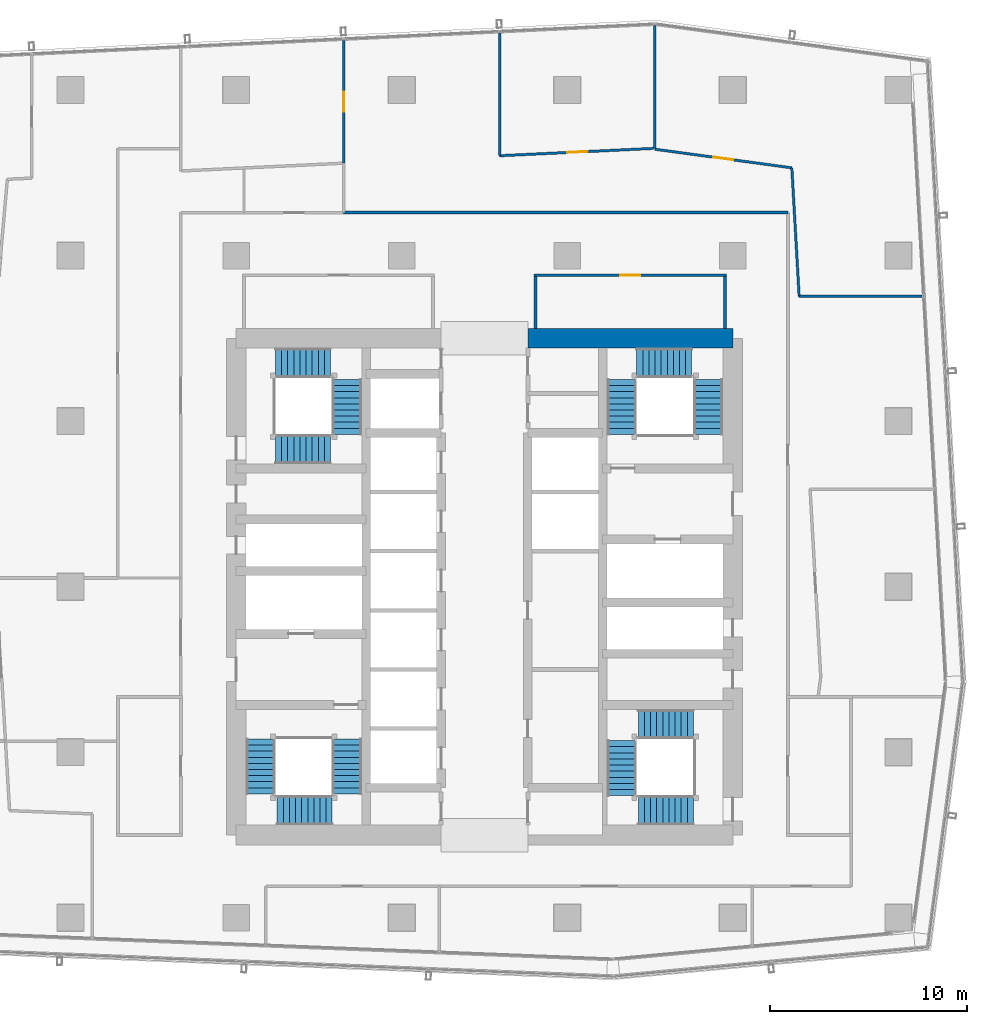
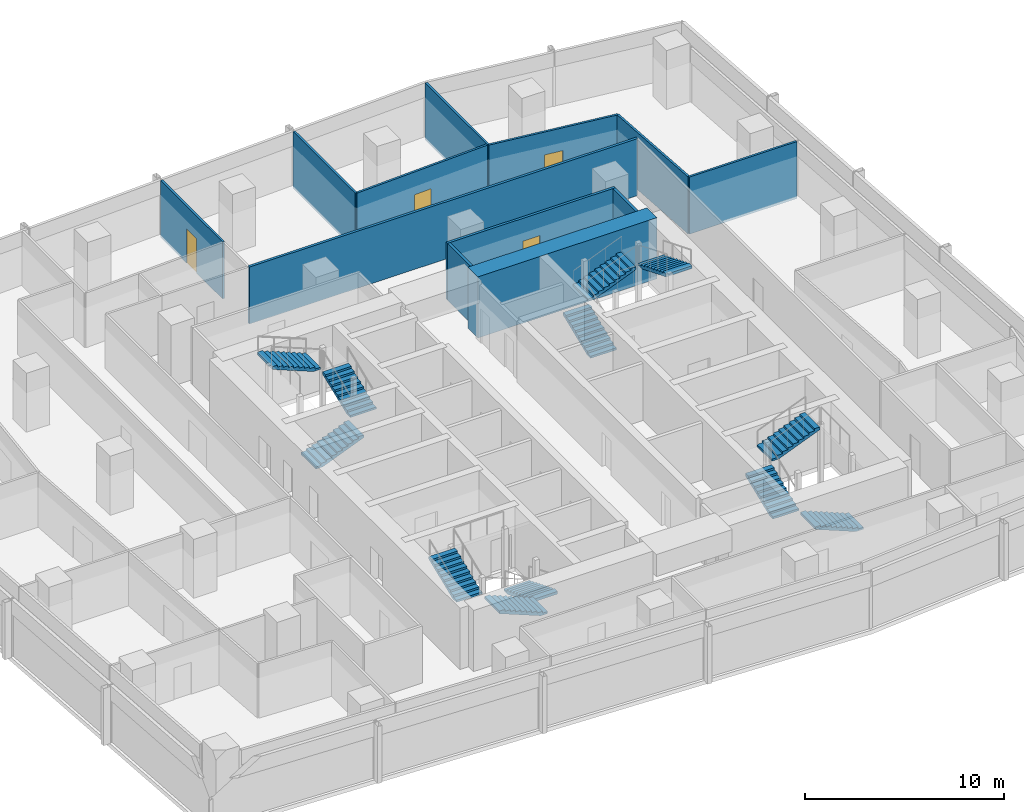
# One storey, part 30 of 39: 12 stair flights, 12 walls, 4 doors, 4 openings, 4 elements without a shape of their own.
"""IFC4 building model written with IfcOpenShell, lengths in metres."""

from ifc_helpers import new_model, si_unit, direction, frame, frame_2d, origin, place, context, subcontext, project, spatial, polyline, rectangle, outline, extrude, material, layer, layer_set, type_object, element, fill, aggregate, save


model = new_model("IFC4")

# Units and contexts
model_context = context("Model", 3, precision=1e-05, world=origin(), true_north=direction((0.0, 1.0)))
body_context = subcontext(model_context, "Body", "Model", "MODEL_VIEW")
ifc_project = project(units=[si_unit("LENGTHUNIT", "METRE"), si_unit("AREAUNIT", "SQUARE_METRE"), si_unit("VOLUMEUNIT", "CUBIC_METRE"), si_unit("PLANEANGLEUNIT", "RADIAN"), si_unit("MASSUNIT", "GRAM", prefix="KILO")], contexts=[model_context])

# Site, building, storey
site_placement = place(None, origin())
site = spatial("IfcSite", under=ifc_project, at=site_placement, CompositionType="ELEMENT")
building_placement = place(site_placement, origin())
building = spatial("IfcBuilding", under=site, at=building_placement, Name="Rekha Terrace Tower", CompositionType="ELEMENT")
storey_placement = place(building_placement, frame((0.0, 0.0, 225.199951171875)))
storey = spatial("IfcBuildingStorey", under=building, at=storey_placement, Name="L57", CompositionType="ELEMENT", Elevation=225.199951171875)

# Wall
ifc_material_1 = material(Name="Concrete M60", Category="concrete")
ifc_layer_1 = layer(ifc_material_1, 1.0)
ifc_layer_set_1 = layer_set([ifc_layer_1], Name="Concrete M60")
wall_type_1 = type_object("IfcWallType", Name="SW3 1000 core outer shear wall", PredefinedType="SHEAR", material=ifc_layer_set_1)
wall_1_placement = place(storey_placement, frame((40.0, 46.199951171875, 0.0), z_axis=(0.0, 0.0, 1.0), x_axis=(1.0, 0.0, 0.0)))
element("IfcWall", 1, at=wall_1_placement, inside=storey, type_object=wall_type_1, Name="Core wall N2 L57", PredefinedType="SHEAR", context=body_context, shape_type="SweptSolid", body=[
    extrude(rectangle(XDim=10.39990234375, YDim=1.0, at=frame_2d((5.199951171875, 0.0))), origin(), (0.0, 0.0, 1.0), 3.75),
])

# Wall, opening, door
ifc_material_2 = material(Name="Concrete block masonry, 1 hour", Category="masonry")
ifc_layer_2 = layer(ifc_material_2, 0.14990234375)
ifc_layer_set_2 = layer_set([ifc_layer_2], Name="Concrete block masonry, 1 hour")
wall_type_2 = type_object("IfcWallType", Name="WP2 150 tenancy partition", PredefinedType="PARTITIONING", material=ifc_layer_set_2)
wall_2_placement = place(storey_placement, frame((40.324951171875, 49.39990234375, 0.0), z_axis=(0.0, 0.0, 1.0), x_axis=(1.0, 0.0, 0.0)))
wall_2 = element("IfcWall", 2, at=wall_2_placement, inside=storey, type_object=wall_type_2, Name="Women's WC wall L57", PredefinedType="PARTITIONING", context=body_context, shape_type="SweptSolid", body=[
    extrude(rectangle(XDim=9.75, YDim=0.14990234375, at=frame_2d((4.875, 0.0))), origin(), (0.0, 0.0, 1.0), 3.5),
])
opening_1_placement = place(wall_2_placement, frame((4.375, 0.0, 0.0)))
opening_1 = element("IfcOpeningElement", 3, at=opening_1_placement, cuts=wall_2, Name="Opening D3", PredefinedType="OPENING", context=body_context, shape_type="SweptSolid", body=[
    extrude(rectangle(XDim=1.0, YDim=2.10009765625, at=frame_2d((0.5, 1.050048828125))), frame((0.0, 0.0849609375, 0.0), z_axis=(0.0, -1.0, 0.0), x_axis=(1.0, 0.0, 0.0)), (0.0, 0.0, 1.0), 0.169921875),
])
ifc_material_3 = material(Name="Laminated timber fire door", Category="wood")
door_type_1 = type_object("IfcDoorType", Name="D3 1000x2100 WC door", OperationType="SINGLE_SWING_LEFT", PredefinedType="DOOR", material=ifc_material_3)
door_1_placement = place(opening_1_placement, origin())
door_1 = element("IfcDoor", 4, at=door_1_placement, inside=storey, type_object=door_type_1, Name="Door women's wc L57", OperationType="SINGLE_SWING_LEFT", OverallHeight=2.10009765625, OverallWidth=1.0, PredefinedType="DOOR", context=body_context, shape_type="SweptSolid", body=[
    extrude(rectangle(XDim=1.0, YDim=2.10009765625, at=frame_2d((0.5, 1.050048828125))), frame((0.0, 0.02490234375, 0.0), z_axis=(0.0, -1.0, 0.0), x_axis=(1.0, 0.0, 0.0)), (0.0, 0.0, 1.0), 0.050048828125),
])
fill(opening_1, door_1)

# Walls
for number, where, z_axis, x_axis, name in (
    (5, (40.39990234375, 46.699951171875, 0.0), (0.0, 0.0, 1.0), (0.0, 1.0, 0.0), "Women's WC wall L57"),
    (6, (50.0, 46.699951171875, 0.0), (0.0, 0.0, 1.0), (0.0, 1.0, 0.0), "Women's WC wall L57"),
):
    element("IfcWall", number, at=place(storey_placement, frame(where, z_axis=z_axis, x_axis=x_axis)), inside=storey, type_object=wall_type_2, Name=name, PredefinedType="PARTITIONING", context=body_context, shape_type="SweptSolid", body=[
        extrude(rectangle(XDim=2.625, YDim=0.14990234375, at=frame_2d((1.3125, 0.0))), origin(), (0.0, 0.0, 1.0), 3.5),
    ])
wall_3_placement = place(storey_placement, frame((53.199951171875, 52.574951171875, 0.0), z_axis=(0.0, 0.0, 1.0), x_axis=(-1.0, 0.0, 0.0)))
element("IfcWall", 7, at=wall_3_placement, inside=storey, type_object=wall_type_2, Name="Partition L57-O1", PredefinedType="PARTITIONING", context=body_context, shape_type="SweptSolid", body=[
    extrude(rectangle(XDim=22.5390625, YDim=0.14990234375, at=frame_2d((11.26953125, 0.0))), origin(), (0.0, 0.0, 1.0), 3.5),
])
ifc_material_4 = material(Name="Two layers of fire-rated gypsum board each side on steel studs, acoustic quilt, 1 hour", Category="steel")
ifc_layer_3 = layer(ifc_material_4, 0.125)
ifc_layer_set_3 = layer_set([ifc_layer_3], Name="Two layers of fire-rated gypsum board each side on steel studs, acoustic quilt, 1 hour")
wall_type_3 = type_object("IfcWallType", Name="WP3 125 office partition", PredefinedType="PARTITIONING", material=ifc_layer_set_3)
wall_4_placement = place(storey_placement, frame((59.99609375, 48.33203125, 0.0), z_axis=(0.0, 0.0, 1.0), x_axis=(-1.0, 0.0, 0.0)))
element("IfcWall", 8, at=wall_4_placement, inside=storey, type_object=wall_type_3, Name="Partition L57-05", PredefinedType="PARTITIONING", context=body_context, shape_type="SweptSolid", body=[
    extrude(rectangle(XDim=6.22998046875, YDim=0.125, at=frame_2d((3.114990234375, 0.0))), origin(), (0.0, 0.0, 1.0), 3.5),
])
wall_5_placement = place(storey_placement, frame((53.76611328125, 48.33203125, 0.0), z_axis=(0.0, 0.0, 1.0), x_axis=(-0.056691956107, 0.998391717771, 0.0)))
element("IfcWall", 9, at=wall_5_placement, inside=storey, type_object=wall_type_3, Name="Partition L57-05", PredefinedType="PARTITIONING", context=body_context, shape_type="SweptSolid", body=[
    extrude(rectangle(XDim=6.528564453125, YDim=0.125, at=frame_2d((3.26416015625, 0.0))), origin(), (0.0, 0.0, 1.0), 3.5),
])

# Wall, opening, door
wall_6_placement = place(storey_placement, frame((53.39599609375, 54.85009765625, 0.0), z_axis=(0.0, 0.0, 1.0), x_axis=(-0.990866774857, 0.134844482587, 0.0)))
wall_6 = element("IfcWall", 10, at=wall_6_placement, inside=storey, type_object=wall_type_3, Name="Partition L57-05", PredefinedType="PARTITIONING", context=body_context, shape_type="SweptSolid", body=[
    extrude(rectangle(XDim=7.013916015625, YDim=0.125, at=frame_2d((3.5068359375, 0.0))), origin(), (0.0, 0.0, 1.0), 3.5),
])
opening_2_placement = place(wall_6_placement, frame((3.008056640625, 0.0, 0.0)))
opening_2 = element("IfcOpeningElement", 11, at=opening_2_placement, cuts=wall_6, Name="Opening D9", PredefinedType="OPENING", context=body_context, shape_type="SweptSolid", body=[
    extrude(rectangle(XDim=1.0, YDim=2.10009765625, at=frame_2d((0.5, 1.050048828125))), frame((0.0, 0.072509765625, 0.0), z_axis=(0.0, -1.0, 0.0), x_axis=(1.0, 0.0, 0.0)), (0.0, 0.0, 1.0), 0.14501953125),
])
ifc_material_5 = material(Name="Timber fire door", Category="wood")
door_type_2 = type_object("IfcDoorType", Name="D9 1000x2100 office door", OperationType="SINGLE_SWING_LEFT", PredefinedType="DOOR", material=ifc_material_5)
door_2_placement = place(opening_2_placement, origin())
door_2 = element("IfcDoor", 12, at=door_2_placement, inside=storey, type_object=door_type_2, Name="Door director's office L57", OperationType="SINGLE_SWING_LEFT", OverallHeight=2.10009765625, OverallWidth=1.0, PredefinedType="DOOR", context=body_context, shape_type="SweptSolid", body=[
    extrude(rectangle(XDim=1.0, YDim=2.10009765625, at=frame_2d((0.5, 1.050048828125))), frame((0.0, 0.02490234375, 0.0), z_axis=(0.0, -1.0, 0.0), x_axis=(1.0, 0.0, 0.0)), (0.0, 0.0, 1.0), 0.050048828125),
])
fill(opening_2, door_2)

# Walls
wall_7_placement = place(storey_placement, frame((46.445068359375, 55.819091796875, 0.0), z_axis=(0.0, 0.0, 1.0), x_axis=(0.0, 1.0, 0.0)))
element("IfcWall", 13, at=wall_7_placement, inside=storey, type_object=wall_type_3, Name="Partition L57-05", PredefinedType="PARTITIONING", context=body_context, shape_type="SweptSolid", body=[
    extrude(rectangle(XDim=6.247802734375, YDim=0.125, at=frame_2d((3.1240234375, 0.0))), origin(), (0.0, 0.0, 1.0), 3.5),
])
wall_8_placement = place(storey_placement, frame((38.571044921875, 55.464111328125, 0.0), z_axis=(0.0, 0.0, 1.0), x_axis=(0.0, 1.0, 0.0)))
element("IfcWall", 14, at=wall_8_placement, inside=storey, type_object=wall_type_3, Name="Partition L57-06", PredefinedType="PARTITIONING", context=body_context, shape_type="SweptSolid", body=[
    extrude(rectangle(XDim=6.226806640625, YDim=0.125, at=frame_2d((3.11328125, 0.0))), origin(), (0.0, 0.0, 1.0), 3.5),
])

# Wall, opening, door
wall_9_placement = place(storey_placement, frame((46.383056640625, 55.8369140625, 0.0), z_axis=(0.0, 0.0, 1.0), x_axis=(-0.998863259329, -0.047667485374, 0.0)))
wall_9 = element("IfcWall", 15, at=wall_9_placement, inside=storey, type_object=wall_type_3, Name="Partition L57-06", PredefinedType="PARTITIONING", context=body_context, shape_type="SweptSolid", body=[
    extrude(rectangle(XDim=7.82080078125, YDim=0.125, at=frame_2d((3.910400390625, 0.0))), origin(), (0.0, 0.0, 1.0), 3.5),
])
opening_3_placement = place(wall_9_placement, frame((3.3798828125, 0.0, 0.0)))
opening_3 = element("IfcOpeningElement", 16, at=opening_3_placement, cuts=wall_9, Name="Opening D9", PredefinedType="OPENING", context=body_context, shape_type="SweptSolid", body=[
    extrude(rectangle(XDim=1.0, YDim=2.10009765625, at=frame_2d((0.5, 1.050048828125))), frame((0.0, 0.072509765625, 0.0), z_axis=(0.0, -1.0, 0.0), x_axis=(1.0, 0.0, 0.0)), (0.0, 0.0, 1.0), 0.14501953125),
])
door_3_placement = place(opening_3_placement, origin())
door_3 = element("IfcDoor", 17, at=door_3_placement, inside=storey, type_object=door_type_2, Name="Door director's office L57", OperationType="SINGLE_SWING_LEFT", OverallHeight=2.10009765625, OverallWidth=1.0, PredefinedType="DOOR", context=body_context, shape_type="SweptSolid", body=[
    extrude(rectangle(XDim=1.0, YDim=2.10009765625, at=frame_2d((0.5, 1.050048828125))), frame((0.0, 0.02490234375, 0.0), z_axis=(0.0, -1.0, 0.0), x_axis=(1.0, 0.0, 0.0)), (0.0, 0.0, 1.0), 0.050048828125),
])
fill(opening_3, door_3)

wall_10_placement = place(storey_placement, frame((30.660888671875, 61.31298828125, 0.0), z_axis=(0.0, 0.0, 1.0), x_axis=(0.0, -1.0, 0.0)))
wall_10 = element("IfcWall", 18, at=wall_10_placement, inside=storey, type_object=wall_type_3, Name="Partition L57-07", PredefinedType="PARTITIONING", context=body_context, shape_type="SweptSolid", body=[
    extrude(rectangle(XDim=6.22705078125, YDim=0.125, at=frame_2d((3.113525390625, 0.0))), origin(), (0.0, 0.0, 1.0), 3.5),
])
opening_4_placement = place(wall_10_placement, frame((2.614013671875, 0.0, 0.0)))
opening_4 = element("IfcOpeningElement", 19, at=opening_4_placement, cuts=wall_10, Name="Opening D9", PredefinedType="OPENING", context=body_context, shape_type="SweptSolid", body=[
    extrude(rectangle(XDim=1.0, YDim=2.10009765625, at=frame_2d((0.5, 1.050048828125))), frame((0.0, 0.072509765625, 0.0), z_axis=(0.0, -1.0, 0.0), x_axis=(1.0, 0.0, 0.0)), (0.0, 0.0, 1.0), 0.14501953125),
])
door_4_placement = place(opening_4_placement, origin())
door_4 = element("IfcDoor", 20, at=door_4_placement, inside=storey, type_object=door_type_2, Name="Door director's office L57", OperationType="SINGLE_SWING_LEFT", OverallHeight=2.10009765625, OverallWidth=1.0, PredefinedType="DOOR", context=body_context, shape_type="SweptSolid", body=[
    extrude(rectangle(XDim=1.0, YDim=2.10009765625, at=frame_2d((0.5, 1.050048828125))), frame((0.0, 0.02490234375, 0.0), z_axis=(0.0, -1.0, 0.0), x_axis=(1.0, 0.0, 0.0)), (0.0, 0.0, 1.0), 0.050048828125),
])
fill(opening_4, door_4)

# Stair, stair flights
ifc_material_6 = material(Name="Concrete M40", Category="concrete")
stair_type = type_object("IfcStairType", Name="ST30 stair, 30 risers of 125, going 310, 1500 wide flights, 3 flights", PredefinedType="HALF_TURN_STAIR", material=ifc_material_6)
stair_1_placement = place(storey_placement, origin())
stair_1 = element("IfcStair", 21, at=stair_1_placement, inside=storey, type_object=stair_type, Name="Stair ST1 L57 to L58", PredefinedType="HALF_TURN_STAIR")
stair_flight_type = type_object("IfcStairFlightType", Name="SF10 stair flight, 10 risers of 125, going 310, 1500 wide", PredefinedType="STRAIGHT", material=ifc_material_6)
stair_flight_1_placement = place(storey_placement, frame((30.824951171875, 25.875, 0.0), z_axis=(0.0, 0.0, 1.0), x_axis=(0.0, -1.0, 0.0)))
stair_flight_1 = element("IfcStairFlight", 22, at=stair_flight_1_placement, type_object=stair_flight_type, Name="ST1 flight 1", NumberOfRisers=10, NumberOfTreads=9, PredefinedType="STRAIGHT", RiserHeight=0.125, TreadLength=0.31, context=body_context, shape_type="SweptSolid", body=[
    extrude(outline(polyline([(0.0, 0.0), (0.0, 0.125), (0.31005859375, 0.125), (0.31005859375, 0.25), (0.6201171875, 0.25), (0.6201171875, 0.375), (0.929931640625, 0.375), (0.929931640625, 0.5), (1.239990234375, 0.5), (1.239990234375, 0.625), (1.550048828125, 0.625), (1.550048828125, 0.75), (1.860107421875, 0.75), (1.860107421875, 0.875), (2.169921875, 0.875), (2.169921875, 1.0), (2.47998046875, 1.0), (2.47998046875, 1.125), (2.7900390625, 1.125), (2.7900390625, 1.25), (2.7900390625, 0.96337890625), (0.40087890625, 0.0), (0.0, 0.0)])), frame((0.0, 0.75, 0.0), z_axis=(0.0, -1.0, 0.0), x_axis=(1.0, 0.0, 0.0)), (0.0, 0.0, 1.0), 1.5),
])
stair_flight_2_placement = place(storey_placement, frame((30.074951171875, 22.25, 1.25), z_axis=(0.0, 0.0, 1.0), x_axis=(-1.0, 0.0, 0.0)))
stair_flight_2 = element("IfcStairFlight", 23, at=stair_flight_2_placement, type_object=stair_flight_type, Name="ST1 flight 2", NumberOfRisers=10, NumberOfTreads=9, PredefinedType="STRAIGHT", RiserHeight=0.125, TreadLength=0.31, context=body_context, shape_type="SweptSolid", body=[
    extrude(outline(polyline([(0.0, 0.0), (0.0, 0.125), (0.31005859375, 0.125), (0.31005859375, 0.25), (0.6201171875, 0.25), (0.6201171875, 0.375), (0.929931640625, 0.375), (0.929931640625, 0.5), (1.239990234375, 0.5), (1.239990234375, 0.625), (1.550048828125, 0.625), (1.550048828125, 0.75), (1.860107421875, 0.75), (1.860107421875, 0.875), (2.169921875, 0.875), (2.169921875, 1.0), (2.47998046875, 1.0), (2.47998046875, 1.125), (2.7900390625, 1.125), (2.7900390625, 1.25), (2.7900390625, 0.96337890625), (0.40087890625, 0.0), (0.0, 0.0)])), frame((0.0, 0.75, 0.0), z_axis=(0.0, -1.0, 0.0), x_axis=(1.0, 0.0, 0.0)), (0.0, 0.0, 1.0), 1.5),
])
stair_flight_3_placement = place(storey_placement, frame((26.449951171875, 23.0849609375, 2.5), z_axis=(0.0, 0.0, 1.0), x_axis=(0.0, 1.0, 0.0)))
stair_flight_3 = element("IfcStairFlight", 24, at=stair_flight_3_placement, type_object=stair_flight_type, Name="ST1 flight 3", NumberOfRisers=10, NumberOfTreads=9, PredefinedType="STRAIGHT", RiserHeight=0.125, TreadLength=0.31, context=body_context, shape_type="SweptSolid", body=[
    extrude(outline(polyline([(0.0, 0.0), (0.0, 0.125), (0.31005859375, 0.125), (0.31005859375, 0.25), (0.6201171875, 0.25), (0.6201171875, 0.375), (0.929931640625, 0.375), (0.929931640625, 0.5), (1.239990234375, 0.5), (1.239990234375, 0.625), (1.550048828125, 0.625), (1.550048828125, 0.75), (1.860107421875, 0.75), (1.860107421875, 0.875), (2.169921875, 0.875), (2.169921875, 1.0), (2.47998046875, 1.0), (2.47998046875, 1.125), (2.7900390625, 1.125), (2.7900390625, 1.25), (2.7900390625, 0.96337890625), (0.40087890625, 0.0), (0.0, 0.0)])), frame((0.0, 0.75, 0.0), z_axis=(0.0, -1.0, 0.0), x_axis=(1.0, 0.0, 0.0)), (0.0, 0.0, 1.0), 1.5),
])
aggregate(stair_1, [stair_flight_1, stair_flight_2, stair_flight_3])

stair_2_placement = place(storey_placement, origin())
stair_2 = element("IfcStair", 25, at=stair_2_placement, inside=storey, type_object=stair_type, Name="Stair ST2 L57 to L58", PredefinedType="HALF_TURN_STAIR")
stair_flight_4_placement = place(storey_placement, frame((44.77490234375, 41.324951171875, 0.0), z_axis=(0.0, 0.0, 1.0), x_axis=(0.0, 1.0, 0.0)))
stair_flight_4 = element("IfcStairFlight", 26, at=stair_flight_4_placement, type_object=stair_flight_type, Name="ST2 flight 1", NumberOfRisers=10, NumberOfTreads=9, PredefinedType="STRAIGHT", RiserHeight=0.125, TreadLength=0.31, context=body_context, shape_type="SweptSolid", body=[
    extrude(outline(polyline([(0.0, 0.0), (0.0, 0.125), (0.31005859375, 0.125), (0.31005859375, 0.25), (0.6201171875, 0.25), (0.6201171875, 0.375), (0.929931640625, 0.375), (0.929931640625, 0.5), (1.239990234375, 0.5), (1.239990234375, 0.625), (1.550048828125, 0.625), (1.550048828125, 0.75), (1.860107421875, 0.75), (1.860107421875, 0.875), (2.169921875, 0.875), (2.169921875, 1.0), (2.47998046875, 1.0), (2.47998046875, 1.125), (2.7900390625, 1.125), (2.7900390625, 1.25), (2.7900390625, 0.96337890625), (0.40087890625, 0.0), (0.0, 0.0)])), frame((0.0, 0.75, 0.0), z_axis=(0.0, -1.0, 0.0), x_axis=(1.0, 0.0, 0.0)), (0.0, 0.0, 1.0), 1.5),
])
stair_flight_5_placement = place(storey_placement, frame((45.52490234375, 44.949951171875, 1.25), z_axis=(0.0, 0.0, 1.0), x_axis=(1.0, 0.0, 0.0)))
stair_flight_5 = element("IfcStairFlight", 27, at=stair_flight_5_placement, type_object=stair_flight_type, Name="ST2 flight 2", NumberOfRisers=10, NumberOfTreads=9, PredefinedType="STRAIGHT", RiserHeight=0.125, TreadLength=0.31, context=body_context, shape_type="SweptSolid", body=[
    extrude(outline(polyline([(0.0, 0.0), (0.0, 0.125), (0.31005859375, 0.125), (0.31005859375, 0.25), (0.6201171875, 0.25), (0.6201171875, 0.375), (0.929931640625, 0.375), (0.929931640625, 0.5), (1.239990234375, 0.5), (1.239990234375, 0.625), (1.550048828125, 0.625), (1.550048828125, 0.75), (1.860107421875, 0.75), (1.860107421875, 0.875), (2.169921875, 0.875), (2.169921875, 1.0), (2.47998046875, 1.0), (2.47998046875, 1.125), (2.7900390625, 1.125), (2.7900390625, 1.25), (2.7900390625, 0.96337890625), (0.40087890625, 0.0), (0.0, 0.0)])), frame((0.0, 0.75, 0.0), z_axis=(0.0, -1.0, 0.0), x_axis=(1.0, 0.0, 0.0)), (0.0, 0.0, 1.0), 1.5),
])
stair_flight_6_placement = place(storey_placement, frame((49.14990234375, 44.114990234375, 2.5), z_axis=(0.0, 0.0, 1.0), x_axis=(0.0, -1.0, 0.0)))
stair_flight_6 = element("IfcStairFlight", 28, at=stair_flight_6_placement, type_object=stair_flight_type, Name="ST2 flight 3", NumberOfRisers=10, NumberOfTreads=9, PredefinedType="STRAIGHT", RiserHeight=0.125, TreadLength=0.31, context=body_context, shape_type="SweptSolid", body=[
    extrude(outline(polyline([(0.0, 0.0), (0.0, 0.125), (0.31005859375, 0.125), (0.31005859375, 0.25), (0.6201171875, 0.25), (0.6201171875, 0.375), (0.929931640625, 0.375), (0.929931640625, 0.5), (1.239990234375, 0.5), (1.239990234375, 0.625), (1.550048828125, 0.625), (1.550048828125, 0.75), (1.860107421875, 0.75), (1.860107421875, 0.875), (2.169921875, 0.875), (2.169921875, 1.0), (2.47998046875, 1.0), (2.47998046875, 1.125), (2.7900390625, 1.125), (2.7900390625, 1.25), (2.7900390625, 0.96337890625), (0.40087890625, 0.0), (0.0, 0.0)])), frame((0.0, 0.75, 0.0), z_axis=(0.0, -1.0, 0.0), x_axis=(1.0, 0.0, 0.0)), (0.0, 0.0, 1.0), 1.5),
])
aggregate(stair_2, [stair_flight_4, stair_flight_5, stair_flight_6])

stair_3_placement = place(storey_placement, origin())
stair_3 = element("IfcStair", 29, at=stair_3_placement, inside=storey, type_object=stair_type, Name="Stair ST3 L57 to L58", PredefinedType="HALF_TURN_STAIR")
stair_flight_7_placement = place(storey_placement, frame((48.39990234375, 22.25, 0.0), z_axis=(0.0, 0.0, 1.0), x_axis=(-1.0, 0.0, 0.0)))
stair_flight_7 = element("IfcStairFlight", 30, at=stair_flight_7_placement, type_object=stair_flight_type, Name="ST3 flight 1", NumberOfRisers=10, NumberOfTreads=9, PredefinedType="STRAIGHT", RiserHeight=0.125, TreadLength=0.31, context=body_context, shape_type="SweptSolid", body=[
    extrude(outline(polyline([(0.0, 0.0), (0.0, 0.125), (0.31005859375, 0.125), (0.31005859375, 0.25), (0.6201171875, 0.25), (0.6201171875, 0.375), (0.929931640625, 0.375), (0.929931640625, 0.5), (1.239990234375, 0.5), (1.239990234375, 0.625), (1.550048828125, 0.625), (1.550048828125, 0.75), (1.860107421875, 0.75), (1.860107421875, 0.875), (2.169921875, 0.875), (2.169921875, 1.0), (2.47998046875, 1.0), (2.47998046875, 1.125), (2.7900390625, 1.125), (2.7900390625, 1.25), (2.7900390625, 0.96337890625), (0.40087890625, 0.0), (0.0, 0.0)])), frame((0.0, 0.75, 0.0), z_axis=(0.0, -1.0, 0.0), x_axis=(1.0, 0.0, 0.0)), (0.0, 0.0, 1.0), 1.5),
])
stair_flight_8_placement = place(storey_placement, frame((44.77490234375, 23.0, 1.25), z_axis=(0.0, 0.0, 1.0), x_axis=(0.0, 1.0, 0.0)))
stair_flight_8 = element("IfcStairFlight", 31, at=stair_flight_8_placement, type_object=stair_flight_type, Name="ST3 flight 2", NumberOfRisers=10, NumberOfTreads=9, PredefinedType="STRAIGHT", RiserHeight=0.125, TreadLength=0.31, context=body_context, shape_type="SweptSolid", body=[
    extrude(outline(polyline([(0.0, 0.0), (0.0, 0.125), (0.31005859375, 0.125), (0.31005859375, 0.25), (0.6201171875, 0.25), (0.6201171875, 0.375), (0.929931640625, 0.375), (0.929931640625, 0.5), (1.239990234375, 0.5), (1.239990234375, 0.625), (1.550048828125, 0.625), (1.550048828125, 0.75), (1.860107421875, 0.75), (1.860107421875, 0.875), (2.169921875, 0.875), (2.169921875, 1.0), (2.47998046875, 1.0), (2.47998046875, 1.125), (2.7900390625, 1.125), (2.7900390625, 1.25), (2.7900390625, 0.96337890625), (0.40087890625, 0.0), (0.0, 0.0)])), frame((0.0, 0.75, 0.0), z_axis=(0.0, -1.0, 0.0), x_axis=(1.0, 0.0, 0.0)), (0.0, 0.0, 1.0), 1.5),
])
stair_flight_9_placement = place(storey_placement, frame((45.610107421875, 26.625, 2.5), z_axis=(0.0, 0.0, 1.0), x_axis=(1.0, 0.0, 0.0)))
stair_flight_9 = element("IfcStairFlight", 32, at=stair_flight_9_placement, type_object=stair_flight_type, Name="ST3 flight 3", NumberOfRisers=10, NumberOfTreads=9, PredefinedType="STRAIGHT", RiserHeight=0.125, TreadLength=0.31, context=body_context, shape_type="SweptSolid", body=[
    extrude(outline(polyline([(0.0, 0.0), (0.0, 0.125), (0.31005859375, 0.125), (0.31005859375, 0.25), (0.6201171875, 0.25), (0.6201171875, 0.375), (0.929931640625, 0.375), (0.929931640625, 0.5), (1.239990234375, 0.5), (1.239990234375, 0.625), (1.550048828125, 0.625), (1.550048828125, 0.75), (1.860107421875, 0.75), (1.860107421875, 0.875), (2.169921875, 0.875), (2.169921875, 1.0), (2.47998046875, 1.0), (2.47998046875, 1.125), (2.7900390625, 1.125), (2.7900390625, 1.25), (2.7900390625, 0.96337890625), (0.40087890625, 0.0), (0.0, 0.0)])), frame((0.0, 0.75, 0.0), z_axis=(0.0, -1.0, 0.0), x_axis=(1.0, 0.0, 0.0)), (0.0, 0.0, 1.0), 1.5),
])
aggregate(stair_3, [stair_flight_7, stair_flight_8, stair_flight_9])

stair_4_placement = place(storey_placement, origin())
stair_4 = element("IfcStair", 33, at=stair_4_placement, inside=storey, type_object=stair_type, Name="Stair ST4 L57 to L58", PredefinedType="HALF_TURN_STAIR")
stair_flight_10_placement = place(storey_placement, frame((27.199951171875, 40.574951171875, 0.0), z_axis=(0.0, 0.0, 1.0), x_axis=(1.0, 0.0, 0.0)))
stair_flight_10 = element("IfcStairFlight", 34, at=stair_flight_10_placement, type_object=stair_flight_type, Name="ST4 flight 1", NumberOfRisers=10, NumberOfTreads=9, PredefinedType="STRAIGHT", RiserHeight=0.125, TreadLength=0.31, context=body_context, shape_type="SweptSolid", body=[
    extrude(outline(polyline([(0.0, 0.0), (0.0, 0.125), (0.31005859375, 0.125), (0.31005859375, 0.25), (0.6201171875, 0.25), (0.6201171875, 0.375), (0.929931640625, 0.375), (0.929931640625, 0.5), (1.239990234375, 0.5), (1.239990234375, 0.625), (1.550048828125, 0.625), (1.550048828125, 0.75), (1.860107421875, 0.75), (1.860107421875, 0.875), (2.169921875, 0.875), (2.169921875, 1.0), (2.47998046875, 1.0), (2.47998046875, 1.125), (2.7900390625, 1.125), (2.7900390625, 1.25), (2.7900390625, 0.96337890625), (0.40087890625, 0.0), (0.0, 0.0)])), frame((0.0, 0.75, 0.0), z_axis=(0.0, -1.0, 0.0), x_axis=(1.0, 0.0, 0.0)), (0.0, 0.0, 1.0), 1.5),
])
stair_flight_11_placement = place(storey_placement, frame((30.824951171875, 41.324951171875, 1.25), z_axis=(0.0, 0.0, 1.0), x_axis=(0.0, 1.0, 0.0)))
stair_flight_11 = element("IfcStairFlight", 35, at=stair_flight_11_placement, type_object=stair_flight_type, Name="ST4 flight 2", NumberOfRisers=10, NumberOfTreads=9, PredefinedType="STRAIGHT", RiserHeight=0.125, TreadLength=0.31, context=body_context, shape_type="SweptSolid", body=[
    extrude(outline(polyline([(0.0, 0.0), (0.0, 0.125), (0.31005859375, 0.125), (0.31005859375, 0.25), (0.6201171875, 0.25), (0.6201171875, 0.375), (0.929931640625, 0.375), (0.929931640625, 0.5), (1.239990234375, 0.5), (1.239990234375, 0.625), (1.550048828125, 0.625), (1.550048828125, 0.75), (1.860107421875, 0.75), (1.860107421875, 0.875), (2.169921875, 0.875), (2.169921875, 1.0), (2.47998046875, 1.0), (2.47998046875, 1.125), (2.7900390625, 1.125), (2.7900390625, 1.25), (2.7900390625, 0.96337890625), (0.40087890625, 0.0), (0.0, 0.0)])), frame((0.0, 0.75, 0.0), z_axis=(0.0, -1.0, 0.0), x_axis=(1.0, 0.0, 0.0)), (0.0, 0.0, 1.0), 1.5),
])
stair_flight_12_placement = place(storey_placement, frame((29.989990234375, 44.949951171875, 2.5), z_axis=(0.0, 0.0, 1.0), x_axis=(-1.0, 0.0, 0.0)))
stair_flight_12 = element("IfcStairFlight", 36, at=stair_flight_12_placement, type_object=stair_flight_type, Name="ST4 flight 3", NumberOfRisers=10, NumberOfTreads=9, PredefinedType="STRAIGHT", RiserHeight=0.125, TreadLength=0.31, context=body_context, shape_type="SweptSolid", body=[
    extrude(outline(polyline([(0.0, 0.0), (0.0, 0.125), (0.31005859375, 0.125), (0.31005859375, 0.25), (0.6201171875, 0.25), (0.6201171875, 0.375), (0.929931640625, 0.375), (0.929931640625, 0.5), (1.239990234375, 0.5), (1.239990234375, 0.625), (1.550048828125, 0.625), (1.550048828125, 0.75), (1.860107421875, 0.75), (1.860107421875, 0.875), (2.169921875, 0.875), (2.169921875, 1.0), (2.47998046875, 1.0), (2.47998046875, 1.125), (2.7900390625, 1.125), (2.7900390625, 1.25), (2.7900390625, 0.96337890625), (0.40087890625, 0.0), (0.0, 0.0)])), frame((0.0, 0.75, 0.0), z_axis=(0.0, -1.0, 0.0), x_axis=(1.0, 0.0, 0.0)), (0.0, 0.0, 1.0), 1.5),
])
aggregate(stair_4, [stair_flight_10, stair_flight_11, stair_flight_12])

save(model, "model.ifc")
